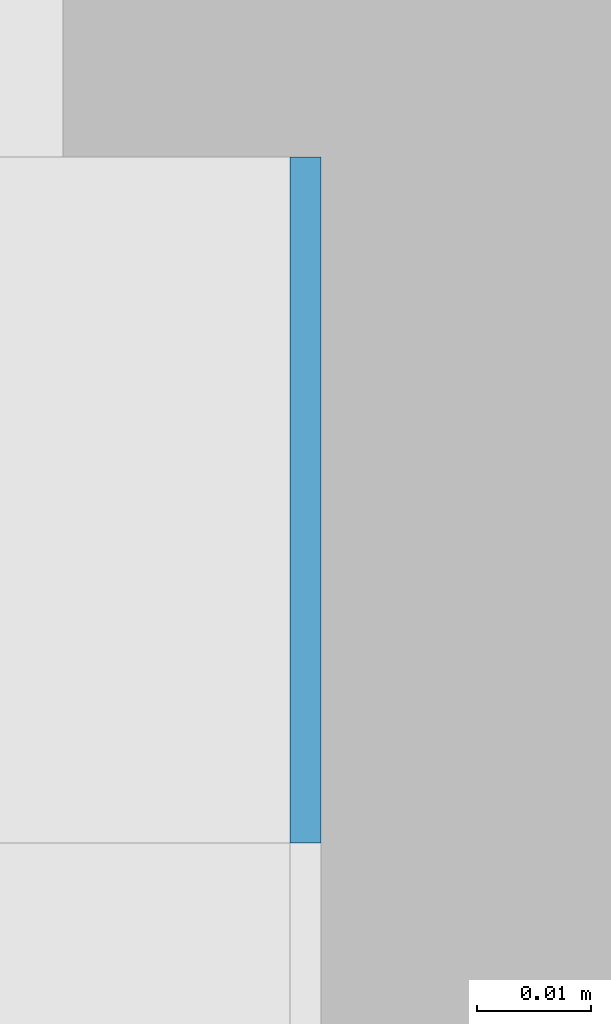
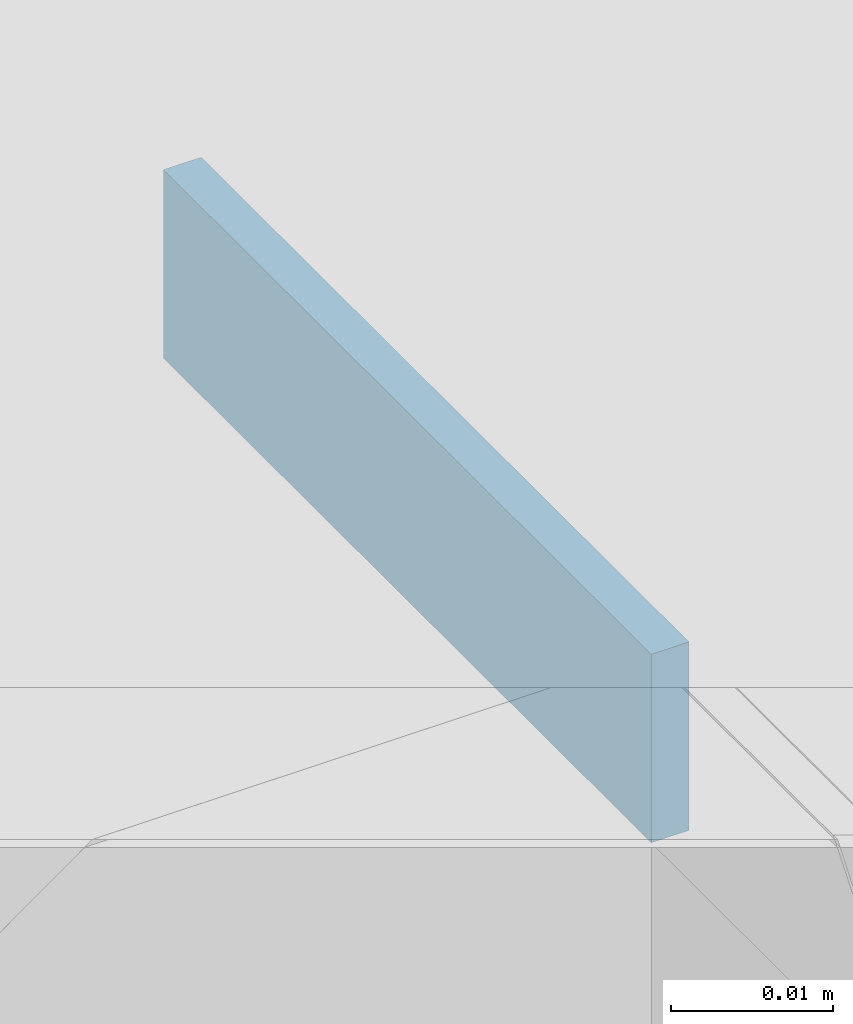
# One storey, part 269 of 646: 1 discrete accessory.
"""IFC4 building model written with IfcOpenShell, lengths in metres."""

from ifc_helpers import new_model, si_unit, direction, frame, origin, origin_2d, place, context, subcontext, project, spatial, rectangle, extrude, material, type_object, element, save


model = new_model("IFC4")

# Units and contexts
model_context = context("Model", 3, precision=1e-05, world=origin(), true_north=direction((0.0, 1.0)))
body_context = subcontext(model_context, "Body", "Model", "MODEL_VIEW")
ifc_project = project(units=[si_unit("LENGTHUNIT", "METRE"), si_unit("AREAUNIT", "SQUARE_METRE"), si_unit("VOLUMEUNIT", "CUBIC_METRE"), si_unit("PLANEANGLEUNIT", "RADIAN"), si_unit("MASSUNIT", "GRAM", prefix="KILO")], contexts=[model_context])

# Site, building, storey
site_placement = place(None, origin())
site = spatial("IfcSite", under=ifc_project, at=site_placement, CompositionType="ELEMENT")
building_placement = place(site_placement, origin())
building = spatial("IfcBuilding", under=site, at=building_placement, Name="Silverbay Arena", CompositionType="ELEMENT")
storey_placement = place(building_placement, frame((0.0, 0.0, 33.5)))
storey = spatial("IfcBuildingStorey", under=building, at=storey_placement, Name="L05", CompositionType="ELEMENT", Elevation=33.5)

# Discrete accessory
ifc_material = material(Name="Steel S355", Category="steel")
discrete_accessory_type = type_object("IfcDiscreteAccessoryType", Name="Steel bracket plate", PredefinedType="BRACKET", material=ifc_material)
discrete_accessory_placement = place(storey_placement, frame((53.871337890625, 45.030029296875, 12.98583984375), z_axis=(0.0, 0.0, 1.0), x_axis=(1.0, 0.0, 0.0)))
element("IfcDiscreteAccessory", 1, at=discrete_accessory_placement, inside=storey, type_object=discrete_accessory_type, Name="Curtain wall packing plate", PredefinedType="BRACKET", context=body_context, shape_type="SweptSolid", body=[
    extrude(rectangle(XDim=0.002685546875, YDim=0.06005859375, at=origin_2d()), origin(), (0.0, 0.0, 1.0), 0.01416015625),
])

save(model, "model.ifc")
